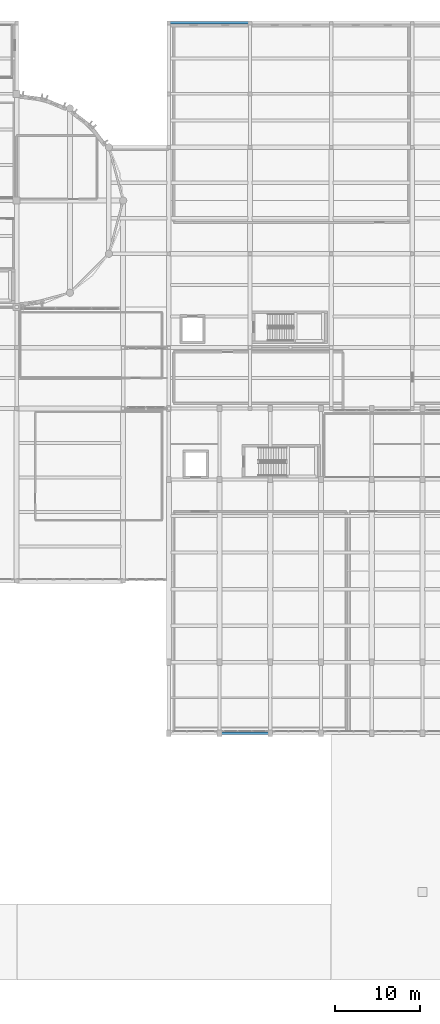
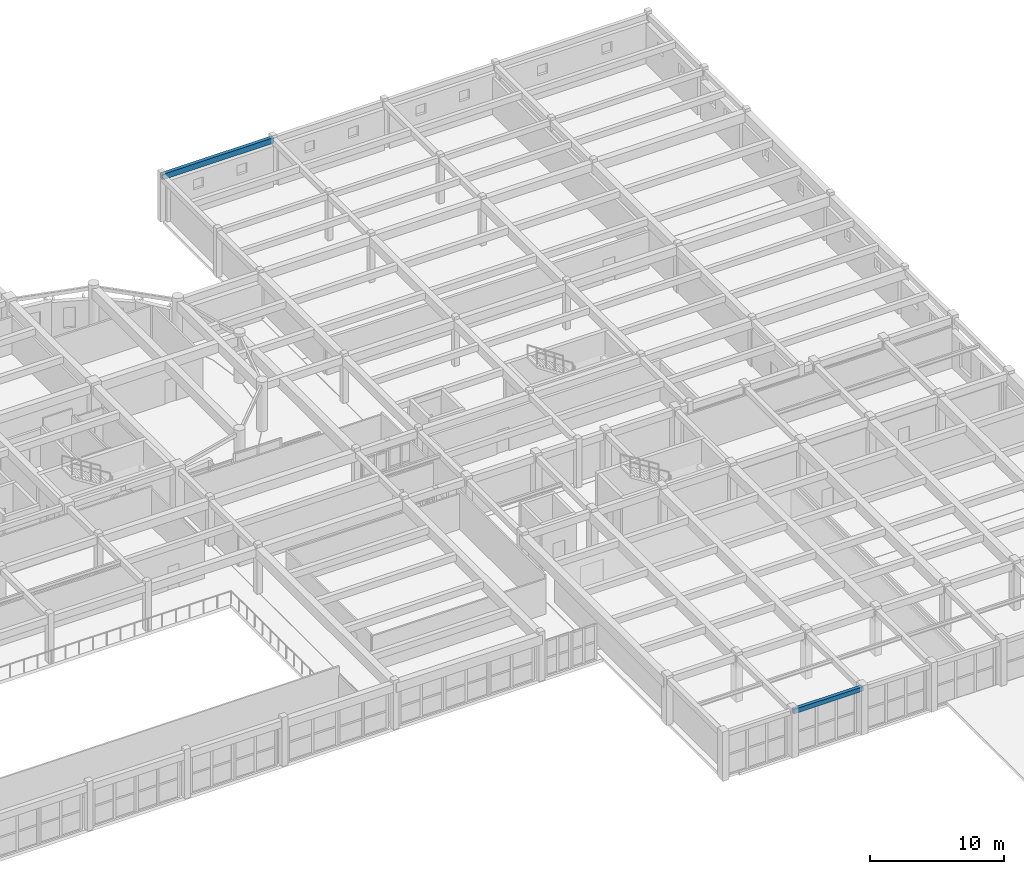
# One storey, part 44 of 92: 2 beams.
"""IFC4 building model written with IfcOpenShell, lengths in metres."""

from ifc_helpers import new_model, si_unit, direction, frame, origin, origin_2d, place, context, subcontext, project, spatial, rectangle, extrude, material, material_profile, profile_set, type_object, element, save


model = new_model("IFC4")

# Units and contexts
model_context = context("Model", 3, precision=1e-05, world=origin(), true_north=direction((0.0, 1.0)))
body_context = subcontext(model_context, "Body", "Model", "MODEL_VIEW")
ifc_project = project(units=[si_unit("LENGTHUNIT", "METRE"), si_unit("AREAUNIT", "SQUARE_METRE"), si_unit("VOLUMEUNIT", "CUBIC_METRE"), si_unit("PLANEANGLEUNIT", "RADIAN"), si_unit("MASSUNIT", "GRAM", prefix="KILO")], contexts=[model_context])

# Site, building, storey
site_placement = place(None, origin())
site = spatial("IfcSite", under=ifc_project, at=site_placement, CompositionType="ELEMENT")
building_placement = place(site_placement, origin())
building = spatial("IfcBuilding", under=site, at=building_placement, Name="Tarnavel Promenade Courthouse", CompositionType="ELEMENT")
storey_placement = place(building_placement, frame((0.0, 0.0, 5.39990234375)))
storey = spatial("IfcBuildingStorey", under=building, at=storey_placement, Name="L02", CompositionType="ELEMENT", Elevation=5.39990234375)

# Beams
ifc_material = material(Name="Concrete C40/50", Category="concrete")
ifc_material_profile_1 = material_profile(ifc_material, rectangle(XDim=0.300048828125, YDim=0.39990234375, at=origin_2d()), Name="RC 300x400")
ifc_profile_set_1 = profile_set([ifc_material_profile_1], Name="Concrete C40/50")
beam_type_1 = type_object("IfcBeamType", Name="Concrete C40/50 BM-SP-300x400 (RC 300x400)", PredefinedType="SPANDREL", material=ifc_profile_set_1)
beam_1_placement = place(storey_placement, frame((126.0, 28.800048828125, 4.03515625), z_axis=(1.0, 0.0, 0.0), x_axis=(0.0, 1.0, 0.0)))
element("IfcBeam", 1, at=beam_1_placement, inside=storey, type_object=beam_type_1, Name="L02 Primary Longitudinal Beam 1082", PredefinedType="SPANDREL", context=body_context, shape_type="SweptSolid", body=[
    extrude(rectangle(XDim=0.300048828125, YDim=0.39990234375, at=origin_2d()), origin(), (0.0, 0.0, 1.0), 6.0),
])
ifc_material_profile_2 = material_profile(ifc_material, rectangle(XDim=0.300048828125, YDim=0.5, at=origin_2d()), Name="RC 300x500")
ifc_profile_set_2 = profile_set([ifc_material_profile_2], Name="Concrete C40/50")
beam_type_2 = type_object("IfcBeamType", Name="Concrete C40/50 BM-SP-300x500 (RC 300x500)", PredefinedType="SPANDREL", material=ifc_profile_set_2)
beam_2_placement = place(storey_placement, frame((120.0, 112.800048828125, 3.985107421875), z_axis=(1.0, 0.0, 0.0), x_axis=(0.0, 1.0, 0.0)))
element("IfcBeam", 2, at=beam_2_placement, inside=storey, type_object=beam_type_2, Name="L02 Primary Longitudinal Beam 1221", PredefinedType="SPANDREL", context=body_context, shape_type="SweptSolid", body=[
    extrude(rectangle(XDim=0.300048828125, YDim=0.5, at=origin_2d()), origin(), (0.0, 0.0, 1.0), 9.60009765625),
])

save(model, "model.ifc")
